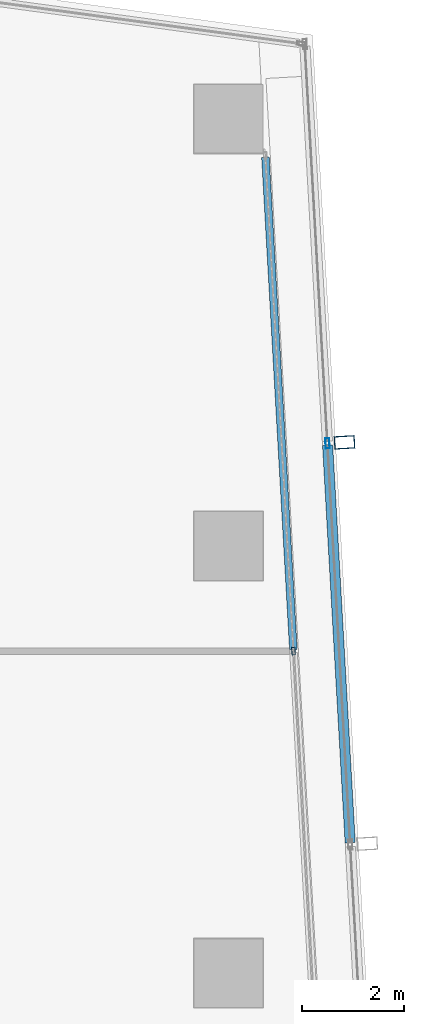
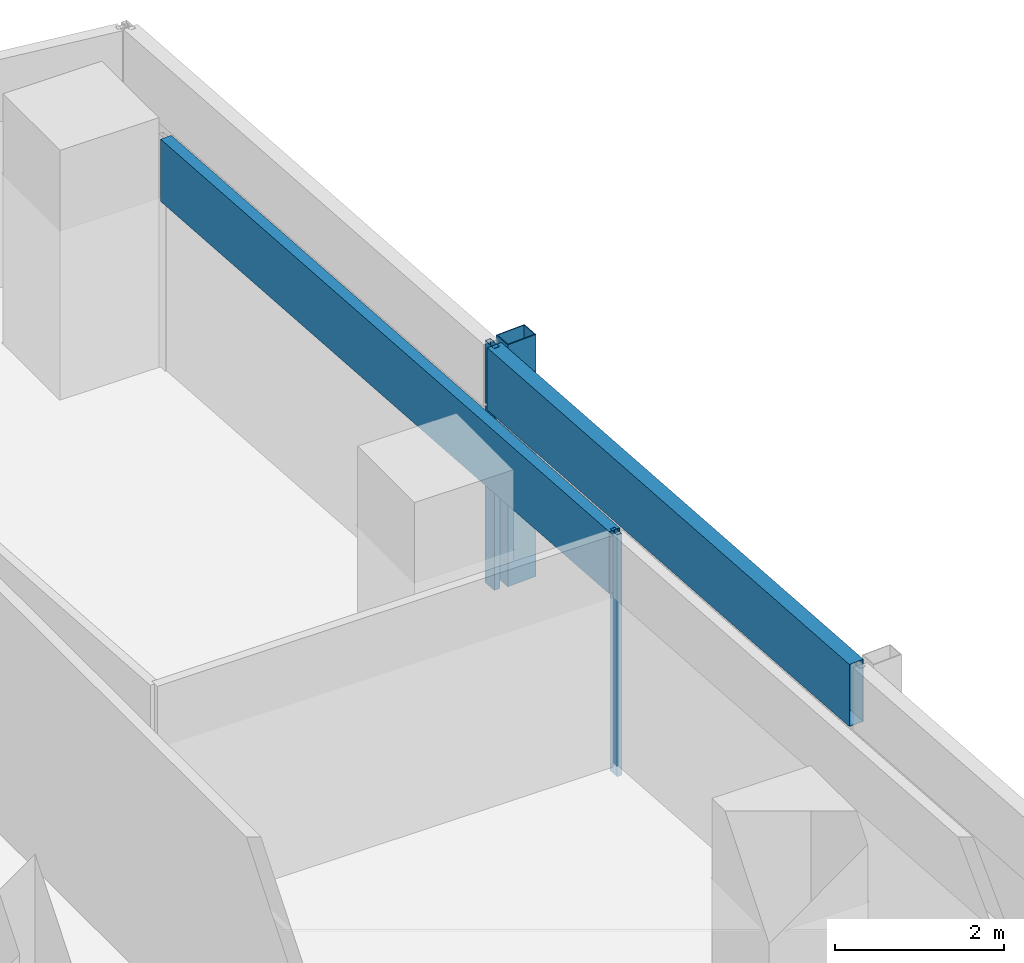
# One storey, part 23 of 39: 5 members, 2 elements without a shape of their own.
"""IFC4 building model written with IfcOpenShell, lengths in metres."""

from ifc_helpers import new_model, si_unit, direction, frame, origin, origin_2d, place, context, subcontext, project, spatial, hollow_rectangle, extrude, material, material_profile, profile_set, type_object, element, aggregate, save


model = new_model("IFC4")

# Units and contexts
model_context = context("Model", 3, precision=1e-05, world=origin(), true_north=direction((0.0, 1.0)))
body_context = subcontext(model_context, "Body", "Model", "MODEL_VIEW")
ifc_project = project(units=[si_unit("LENGTHUNIT", "METRE"), si_unit("AREAUNIT", "SQUARE_METRE"), si_unit("VOLUMEUNIT", "CUBIC_METRE"), si_unit("PLANEANGLEUNIT", "RADIAN"), si_unit("MASSUNIT", "GRAM", prefix="KILO")], contexts=[model_context])

# Site, building, storey
site_placement = place(None, origin())
site = spatial("IfcSite", under=ifc_project, at=site_placement, CompositionType="ELEMENT")
building_placement = place(site_placement, origin())
building = spatial("IfcBuilding", under=site, at=building_placement, Name="Rekha Terrace Tower", CompositionType="ELEMENT")
storey_placement = place(building_placement, frame((0.0, 0.0, 217.699951171875)))
storey = spatial("IfcBuildingStorey", under=building, at=storey_placement, Name="L55", CompositionType="ELEMENT", Elevation=217.699951171875)

# Curtain wall, member
ifc_material_1 = material(Name="Aluminium framing", Category="aluminium")
curtain_wall_type_1 = type_object("IfcCurtainWallType", Name="CW2 double skin outer glazing", PredefinedType="USERDEFINED", material=ifc_material_1)
curtain_wall_1_placement = place(storey_placement, origin())
curtain_wall_1 = element("IfcCurtainWall", 1, at=curtain_wall_1_placement, inside=storey, type_object=curtain_wall_type_1, Name="CW2 double skin outer glazing", ObjectType="DOUBLE SKIN OUTER GLAZING", PredefinedType="USERDEFINED")
ifc_material_2 = material(Name="Steel S355 with fluorocarbon finish", Category="steel")
ifc_material_profile_1 = material_profile(ifc_material_2, hollow_rectangle(XDim=0.25, YDim=0.39990234375, WallThickness=0.012451171875, at=origin_2d()), Name="RHS400x250x12.5")
ifc_profile_set_1 = profile_set([ifc_material_profile_1], Name="Steel S355 with fluorocarbon finish")
member_type_1 = type_object("IfcMemberType", Name="BL1 facade blade RHS 400 x 250", PredefinedType="USERDEFINED", material=ifc_profile_set_1)
member_1_placement = place(storey_placement, frame((61.080078125, 52.4375, 0.0), z_axis=(0.0, 0.0, 1.0), x_axis=(-0.056673619809, 0.998392758797, 0.0)))
member_1 = element("IfcMember", 2, at=member_1_placement, type_object=member_type_1, Name="Facade blade", ObjectType="FACADE BLADE", PredefinedType="USERDEFINED", context=body_context, shape_type="SweptSolid", body=[
    extrude(hollow_rectangle(XDim=0.25, YDim=0.39990234375, WallThickness=0.012451171875, at=origin_2d()), origin(), (0.0, 0.0, 1.0), 3.5),
])

# Curtain wall, members
curtain_wall_type_2 = type_object("IfcCurtainWallType", Name="CW1 double skin inner glazing", PredefinedType="USERDEFINED", material=ifc_material_1)
curtain_wall_2_placement = place(storey_placement, origin())
curtain_wall_2 = element("IfcCurtainWall", 3, at=curtain_wall_2_placement, inside=storey, type_object=curtain_wall_type_2, Name="CW1 double skin inner glazing", ObjectType="DOUBLE SKIN INNER GLAZING", PredefinedType="USERDEFINED")
ifc_material_3 = material(Name="Aluminium mullion section", Category="aluminium")
ifc_material_profile_2 = material_profile(ifc_material_3, hollow_rectangle(XDim=0.06494140625, YDim=0.14990234375, WallThickness=0.00390625, at=origin_2d()), Name="AL RHS 65x150")
ifc_profile_set_2 = profile_set([ifc_material_profile_2], Name="Aluminium mullion section")
member_type_2 = type_object("IfcMemberType", Name="CW1 mullion RHS 65 x 150", PredefinedType="MULLION", material=ifc_profile_set_2)
member_2_placement = place(storey_placement, frame((60.076171875, 48.331787109375, 0.0), z_axis=(0.0, 0.0, 1.0), x_axis=(-0.998392782919, -0.05667319486, 0.0)))
member_2 = element("IfcMember", 4, at=member_2_placement, type_object=member_type_2, Name="CW1 mullion 3", PredefinedType="MULLION", context=body_context, shape_type="SweptSolid", body=[
    extrude(hollow_rectangle(XDim=0.06494140625, YDim=0.14990234375, WallThickness=0.00390625, at=origin_2d()), origin(), (0.0, 0.0, 1.0), 3.5),
])
ifc_material_4 = material(Name="Insulated aluminium spandrel box", Category="aluminium")
ifc_material_profile_3 = material_profile(ifc_material_4, hollow_rectangle(XDim=0.14990234375, YDim=0.89990234375, WallThickness=0.0029296875, at=origin_2d()), Name="AL SPANDREL BOX 150x900")
ifc_profile_set_3 = profile_set([ifc_material_profile_3], Name="Insulated aluminium spandrel box")
member_type_3 = type_object("IfcMemberType", Name="CW1 spandrel transom 150 x 900", PredefinedType="USERDEFINED", material=ifc_profile_set_3)
member_3_placement = place(storey_placement, frame((60.07421875, 48.3642578125, 3.050048828125), z_axis=(-0.056665357377, 0.998393227778, 0.0), x_axis=(-0.998393227778, -0.056665357377, 0.0)))
member_3 = element("IfcMember", 5, at=member_3_placement, type_object=member_type_3, Name="CW1 spandrel transom 3", ObjectType="TRANSOM", PredefinedType="USERDEFINED", context=body_context, shape_type="SweptSolid", body=[
    extrude(hollow_rectangle(XDim=0.14990234375, YDim=0.89990234375, WallThickness=0.0029296875, at=origin_2d()), origin(), (0.0, 0.0, 1.0), 9.694091796875),
])
aggregate(curtain_wall_2, [member_2, member_3])

# Member
ifc_material_profile_4 = material_profile(ifc_material_3, hollow_rectangle(XDim=0.080078125, YDim=0.199951171875, WallThickness=0.00390625, at=origin_2d()), Name="AL RHS 80x200")
ifc_profile_set_4 = profile_set([ifc_material_profile_4], Name="Aluminium mullion section")
member_type_4 = type_object("IfcMemberType", Name="CW2 mullion RHS 80 x 200", PredefinedType="MULLION", material=ifc_profile_set_4)
member_4_placement = place(storey_placement, frame((60.74560546875, 52.41845703125, 0.0), z_axis=(0.0, 0.0, 1.0), x_axis=(-0.998392782919, -0.05667319486, 0.0)))
member_4 = element("IfcMember", 6, at=member_4_placement, type_object=member_type_4, Name="CW2 mullion 4", PredefinedType="MULLION", context=body_context, shape_type="SweptSolid", body=[
    extrude(hollow_rectangle(XDim=0.080078125, YDim=0.199951171875, WallThickness=0.00390625, at=origin_2d()), origin(), (0.0, 0.0, 1.0), 3.5),
])

ifc_material_profile_5 = material_profile(ifc_material_4, hollow_rectangle(XDim=0.199951171875, YDim=0.89990234375, WallThickness=0.0029296875, at=origin_2d()), Name="AL SPANDREL BOX 200x900")
ifc_profile_set_5 = profile_set([ifc_material_profile_5], Name="Insulated aluminium spandrel box")
member_type_5 = type_object("IfcMemberType", Name="CW2 spandrel transom 200 x 900", PredefinedType="USERDEFINED", material=ifc_profile_set_5)
member_5_placement = place(storey_placement, frame((61.19140625, 44.567626953125, 3.050048828125), z_axis=(-0.056702299999, 0.998391130357, 0.0), x_axis=(-0.998391130357, -0.056702299999, 0.0)))
member_5 = element("IfcMember", 7, at=member_5_placement, type_object=member_type_5, Name="CW2 spandrel transom 3", ObjectType="TRANSOM", PredefinedType="USERDEFINED", context=body_context, shape_type="SweptSolid", body=[
    extrude(hollow_rectangle(XDim=0.199951171875, YDim=0.89990234375, WallThickness=0.0029296875, at=origin_2d()), origin(), (0.0, 0.0, 1.0), 7.823486328125),
])

aggregate(curtain_wall_1, [member_4, member_5, member_1])

save(model, "model.ifc")
